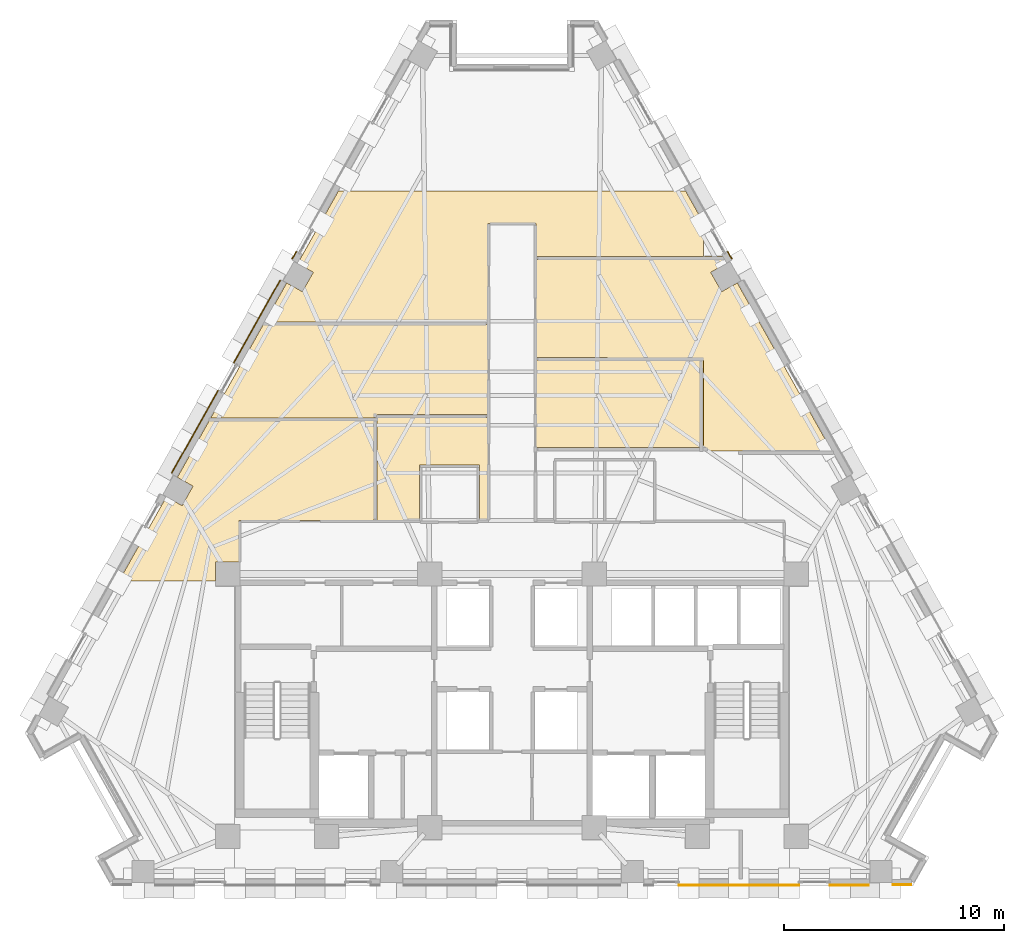
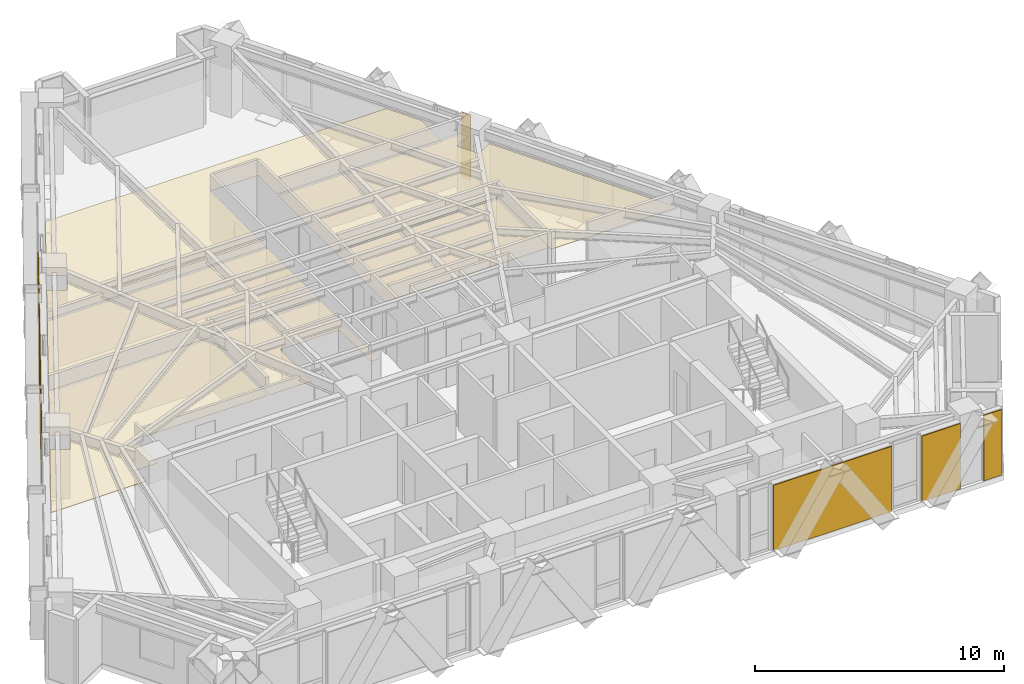
# One storey, part 11 of 13: 13 coverings.
"""IFC4 building model written with IfcOpenShell, lengths in metres."""

from ifc_helpers import new_model, si_unit, direction, frame, origin, place, context, subcontext, project, spatial, polyline, outline, extrude, material, layer, layer_set, type_object, element, save


model = new_model("IFC4")

# Units and contexts
model_context = context("Model", 3, precision=1e-05, world=origin(), true_north=direction((0.0, 1.0)))
body_context = subcontext(model_context, "Body", "Model", "MODEL_VIEW")
ifc_project = project(units=[si_unit("LENGTHUNIT", "METRE"), si_unit("AREAUNIT", "SQUARE_METRE"), si_unit("VOLUMEUNIT", "CUBIC_METRE"), si_unit("PLANEANGLEUNIT", "RADIAN"), si_unit("MASSUNIT", "GRAM", prefix="KILO")], contexts=[model_context])

# Site, building, storey
site_placement = place(None, origin())
site = spatial("IfcSite", under=ifc_project, at=site_placement, CompositionType="ELEMENT")
building_placement = place(site_placement, origin())
building = spatial("IfcBuilding", under=site, at=building_placement, Name="Quenlor Broadcast Tower", CompositionType="ELEMENT")
storey_placement = place(building_placement, frame((0.0, 0.0, 137.0)))
storey = spatial("IfcBuildingStorey", under=building, at=storey_placement, Name="L37", CompositionType="ELEMENT", Elevation=137.0)

# Coverings
ifc_material_1 = material(Name="Acoustic Mineral Fibre Board", Category="other")
ifc_layer_1 = layer(ifc_material_1, 0.02490234375)
ifc_layer_set_1 = layer_set([ifc_layer_1], Name="Acoustic Perforated Mineral Tile Ceiling 25")
covering_type_1 = type_object("IfcCoveringType", Name="Acoustic Perforated Mineral Tile Ceiling 25", PredefinedType="CEILING", material=ifc_layer_set_1)
covering_1_placement = place(storey_placement, frame((0.0, 0.0, 2.375)))
element("IfcCovering", 1, at=covering_1_placement, inside=storey, type_object=covering_type_1, Name="L37 Acoustic Ceiling L37-29", PredefinedType="CEILING", context=body_context, shape_type="SweptSolid", body=[
    extrude(outline(polyline([(8.719970703125, 11.204345703125), (8.719970703125, 9.659912109375), (1.10009765625, 9.659912109375), (1.10009765625, 11.179931640625), (-1.10009765625, 11.179931640625), (-1.10009765625, 6.685302734375), (-11.261962890625, 6.685302734375), (-10.26220703125, 8.46240234375), (-9.54931640625, 8.0615234375), (-9.05126953125, 8.947021484375), (-9.76416015625, 9.347900390625), (-7.90673828125, 12.64990234375), (7.90673828125, 12.64990234375), (8.719970703125, 11.204345703125)])), origin(), (0.0, 0.0, 1.0), 0.02490234375),
])
covering_2_placement = place(storey_placement, frame((0.0, 0.0, 2.375)))
element("IfcCovering", 2, at=covering_2_placement, inside=storey, type_object=covering_type_1, Name="L37 Acoustic Ceiling L37-30", PredefinedType="CEILING", context=body_context, shape_type="SweptSolid", body=[
    extrude(outline(polyline([(14.482421875, 0.81005859375), (8.840087890625, 0.81005859375), (8.810791015625, 0.81298828125), (8.78271484375, 0.8212890625), (8.756591796875, 0.835205078125), (8.73388671875, 0.85400390625), (8.71533203125, 0.876708984375), (8.701416015625, 0.902587890625), (8.69287109375, 0.9306640625), (8.68994140625, 0.9599609375), (8.68994140625, 4.93994140625), (8.69287109375, 4.96923828125), (8.701416015625, 4.997314453125), (8.696533203125, 5.0166015625), (8.690673828125, 5.04541015625), (1.10009765625, 5.06005859375), (1.10009765625, 9.5400390625), (8.68994140625, 9.5400390625), (8.69287109375, 9.5693359375), (8.701416015625, 9.597412109375), (8.71533203125, 9.623291015625), (8.73388671875, 9.64599609375), (8.756591796875, 9.664794921875), (8.78271484375, 9.6787109375), (8.810791015625, 9.68701171875), (8.840087890625, 9.68994140625), (9.57177734375, 9.68994140625), (9.76416015625, 9.347900390625), (9.05126953125, 8.947021484375), (9.54931640625, 8.0615234375), (10.26220703125, 8.46240234375), (12.052978515625, 5.27880859375), (12.1591796875, 5.090087890625), (14.555908203125, 0.829345703125), (14.540283203125, 0.82177734375), (14.511962890625, 0.81298828125), (14.482421875, 0.81005859375)])), origin(), (0.0, 0.0, 1.0), 0.02490234375),
])
covering_3_placement = place(storey_placement, frame((0.0, 0.0, 2.375)))
element("IfcCovering", 3, at=covering_3_placement, inside=storey, type_object=covering_type_1, Name="L37 Acoustic Ceiling L37-31", PredefinedType="CEILING", context=body_context, shape_type="SweptSolid", body=[
    extrude(outline(polyline([(-6.141357421875, 2.402587890625), (-6.1552734375, 2.376708984375), (-6.173828125, 2.35400390625), (-6.19677734375, 2.335205078125), (-6.22265625, 2.3212890625), (-6.250732421875, 2.31298828125), (-6.280029296875, 2.31005859375), (-13.638671875, 2.31005859375), (-13.668212890625, 2.31298828125), (-13.696533203125, 2.32177734375), (-13.712158203125, 2.329345703125), (-11.329345703125, 6.565185546875), (-1.10009765625, 6.565185546875), (-1.10009765625, 2.4599609375), (-6.1298828125, 2.4599609375), (-6.1328125, 2.4306640625), (-6.141357421875, 2.402587890625)])), origin(), (0.0, 0.0, 1.0), 0.02490234375),
])
covering_4_placement = place(storey_placement, frame((0.0, 0.0, 2.375)))
element("IfcCovering", 4, at=covering_4_placement, inside=storey, type_object=covering_type_1, Name="L37 Acoustic Ceiling L37-32", PredefinedType="CEILING", context=body_context, shape_type="SweptSolid", body=[
    extrude(outline(polyline([(1.10009765625, 0.9599609375), (1.10009765625, 4.93994140625), (8.719970703125, 4.93994140625), (8.719970703125, 0.9599609375), (1.10009765625, 0.9599609375)])), origin(), (0.0, 0.0, 1.0), 0.02490234375),
])
covering_5_placement = place(storey_placement, frame((0.0, 0.0, 2.375)))
element("IfcCovering", 5, at=covering_5_placement, inside=storey, type_object=covering_type_1, Name="L37 Acoustic Ceiling L37-33", PredefinedType="CEILING", context=body_context, shape_type="SweptSolid", body=[
    extrude(outline(polyline([(-4.219970703125, 0.169921875), (-4.219970703125, -2.3701171875), (-6.159912109375, -2.3701171875), (-6.159912109375, 2.340087890625), (-1.10009765625, 2.340087890625), (-1.10009765625, -2.3701171875), (-1.47998046875, -2.3701171875), (-1.47998046875, 0.169921875), (-4.219970703125, 0.169921875)])), origin(), (0.0, 0.0, 1.0), 0.02490234375),
])
covering_6_placement = place(storey_placement, frame((0.0, 0.0, 2.375)))
element("IfcCovering", 6, at=covering_6_placement, inside=storey, type_object=covering_type_1, Name="L37 Acoustic Ceiling L37-36", PredefinedType="CEILING", context=body_context, shape_type="SweptSolid", body=[
    extrude(outline(polyline([(-15.7431640625, -1.281494140625), (-15.0302734375, -1.6826171875), (-14.5322265625, -0.797119140625), (-15.2451171875, -0.39599609375), (-13.706298828125, 2.340087890625), (-6.280029296875, 2.340087890625), (-6.280029296875, -2.3701171875), (-12.43994140625, -2.3701171875), (-12.43994140625, -4.241943359375), (-13.508056640625, -4.241943359375), (-13.508056640625, -5.1201171875), (-17.90234375, -5.1201171875), (-15.7431640625, -1.281494140625)])), origin(), (0.0, 0.0, 1.0), 0.02490234375),
])
ifc_material_2 = material(Name="Architectural Terracotta Ceramic", Category="masonry")
ifc_layer_2 = layer(ifc_material_2, 0.044921875)
ifc_layer_set_2 = layer_set([ifc_layer_2], Name="Fluted Terracotta Rainscreen Cladding Panel")
covering_type_2 = type_object("IfcCoveringType", Name="Fluted Terracotta Rainscreen Cladding Panel", PredefinedType="CLADDING", material=ifc_layer_set_2)
covering_7_placement = place(storey_placement, frame((0.0, 0.0, 0.02001953125)))
element("IfcCovering", 7, at=covering_7_placement, inside=storey, type_object=covering_type_2, Name="L37 Terracotta Rainscreen Cladding L37-SHD-SS0", PredefinedType="CLADDING", context=body_context, shape_type="SweptSolid", body=[
    extrude(outline(polyline([(18.179931640625, -18.93701171875), (17.343505859375, -18.93701171875), (17.343505859375, -18.98193359375), (18.179931640625, -18.98193359375), (18.179931640625, -18.93701171875)])), origin(), (0.0, 0.0, 1.0), 3.2099609375),
])
covering_8_placement = place(storey_placement, frame((0.0, 0.0, 0.02001953125)))
element("IfcCovering", 8, at=covering_8_placement, inside=storey, type_object=covering_type_2, Name="L37 Terracotta Rainscreen Cladding L37-SA-SP1", PredefinedType="CLADDING", context=body_context, shape_type="SweptSolid", body=[
    extrude(outline(polyline([(16.25341796875, -18.95703125), (14.47509765625, -18.95703125), (14.47509765625, -19.001953125), (16.25341796875, -19.001953125), (16.25341796875, -18.95703125)])), origin(), (0.0, 0.0, 1.0), 3.2099609375),
])
covering_9_placement = place(storey_placement, frame((0.0, 0.0, 0.02001953125)))
element("IfcCovering", 9, at=covering_9_placement, inside=storey, type_object=covering_type_2, Name="L37 Terracotta Rainscreen Cladding L37-SA-SP2", PredefinedType="CLADDING", context=body_context, shape_type="SweptSolid", body=[
    extrude(outline(polyline([(13.076904296875, -18.95703125), (7.5869140625, -18.95703125), (7.5869140625, -19.001953125), (13.076904296875, -19.001953125), (13.076904296875, -18.95703125)])), origin(), (0.0, 0.0, 1.0), 3.2099609375),
])
covering_10_placement = place(storey_placement, frame((0.0, 0.0, 0.02001953125)))
element("IfcCovering", 10, at=covering_10_placement, inside=storey, type_object=covering_type_2, Name="L37 Terracotta Rainscreen Cladding L37-NEA-SP3", PredefinedType="CLADDING", context=body_context, shape_type="SweptSolid", body=[
    extrude(outline(polyline([(9.803955078125, 9.88330078125), (10.0, 9.53466796875), (10.039306640625, 9.556640625), (9.843017578125, 9.9052734375), (9.803955078125, 9.88330078125)])), origin(), (0.0, 0.0, 1.0), 3.2099609375),
])
covering_11_placement = place(storey_placement, frame((0.0, 0.0, 0.02001953125)))
element("IfcCovering", 11, at=covering_11_placement, inside=storey, type_object=covering_type_2, Name="L37 Terracotta Rainscreen Cladding L37-NWC-SP1", PredefinedType="CLADDING", context=body_context, shape_type="SweptSolid", body=[
    extrude(outline(polyline([(-10.0, 9.53466796875), (-9.803955078125, 9.88330078125), (-9.843017578125, 9.9052734375), (-10.039306640625, 9.556640625), (-10.0, 9.53466796875)])), origin(), (0.0, 0.0, 1.0), 3.2099609375),
])
covering_12_placement = place(storey_placement, frame((0.0, 0.0, 0.02001953125)))
element("IfcCovering", 12, at=covering_12_placement, inside=storey, type_object=covering_type_2, Name="L37 Terracotta Rainscreen Cladding L37-NW-SP1", PredefinedType="CLADDING", context=body_context, shape_type="SweptSolid", body=[
    extrude(outline(polyline([(-15.4833984375, -0.213623046875), (-13.367919921875, 3.547119140625), (-13.4072265625, 3.569091796875), (-15.522705078125, -0.191650390625), (-15.4833984375, -0.213623046875)])), origin(), (0.0, 0.0, 1.0), 3.2099609375),
])
covering_13_placement = place(storey_placement, frame((0.0, 0.0, 0.02001953125)))
element("IfcCovering", 13, at=covering_13_placement, inside=storey, type_object=covering_type_2, Name="L37 Terracotta Rainscreen Cladding L37-NW-SP2", PredefinedType="CLADDING", context=body_context, shape_type="SweptSolid", body=[
    extrude(outline(polyline([(-12.656982421875, 4.810791015625), (-10.541748046875, 8.571533203125), (-10.580810546875, 8.593505859375), (-12.6962890625, 4.832763671875), (-12.656982421875, 4.810791015625)])), origin(), (0.0, 0.0, 1.0), 3.2099609375),
])

save(model, "model.ifc")
